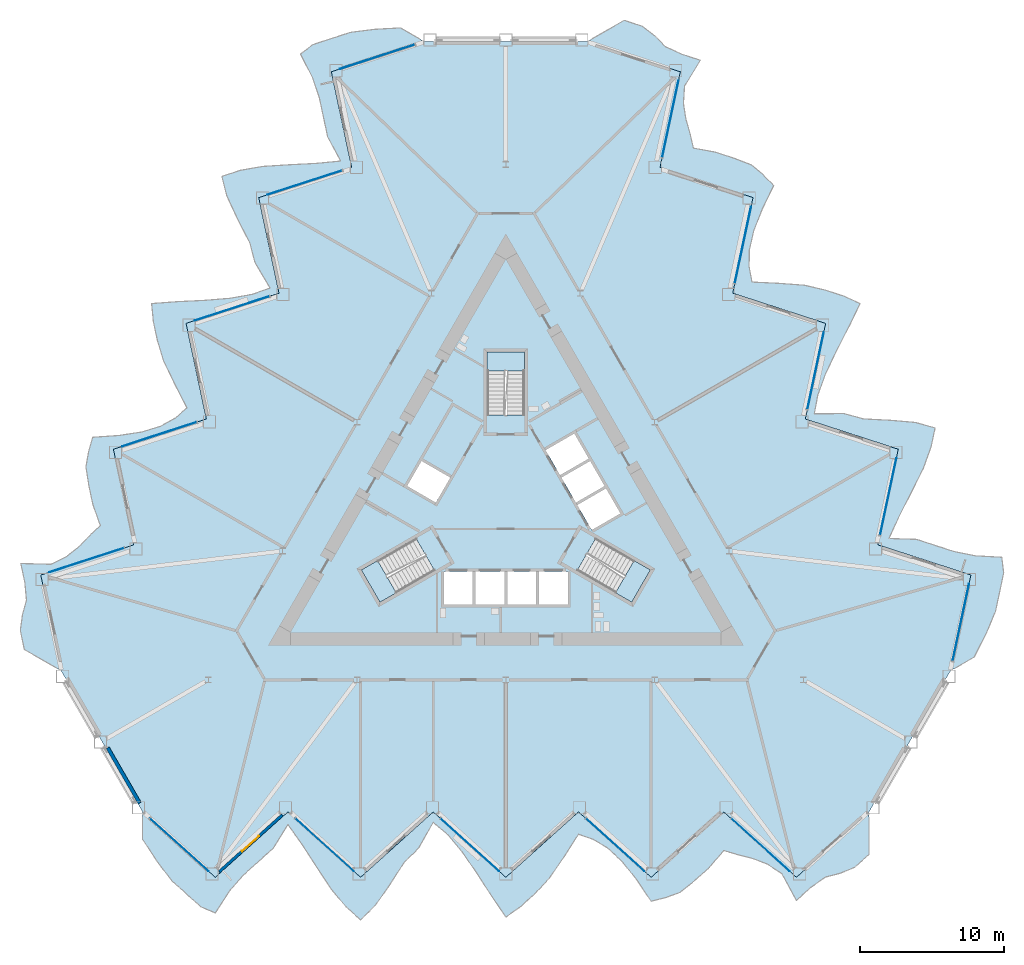
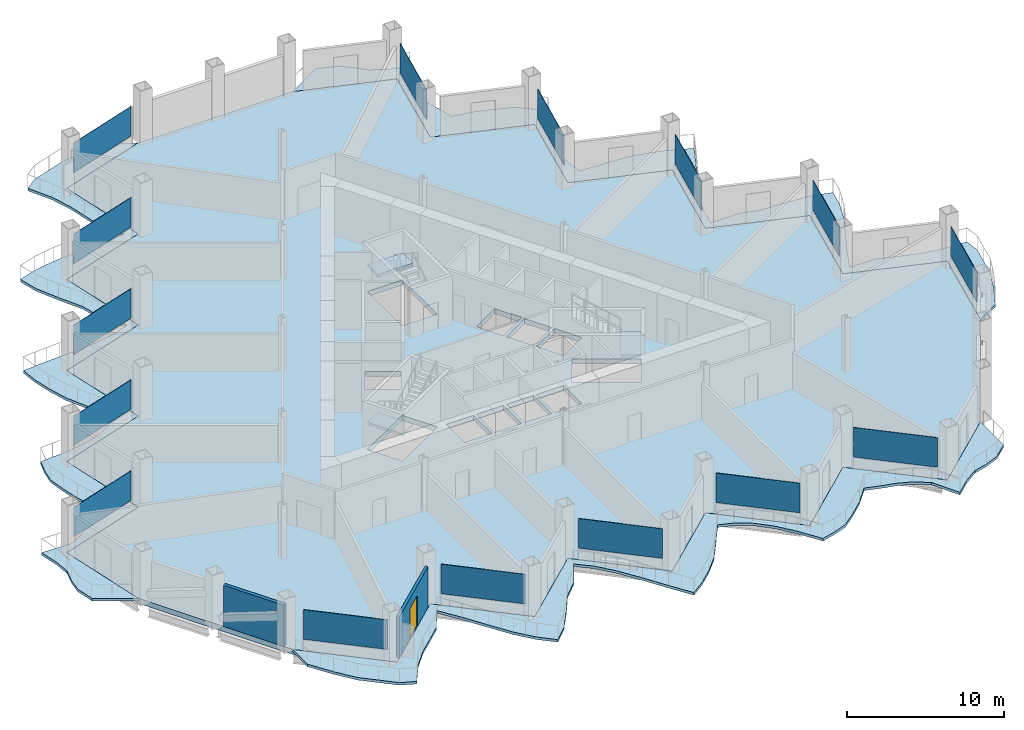
# One storey, part 9 of 21: 15 plates, 7 slabs, 2 walls, 1 door, 1 opening, 18 elements without a shape of their own.
"""IFC4 building model written with IfcOpenShell, lengths in metres."""

from ifc_helpers import new_model, si_unit, direction, frame, frame_2d, origin, origin_2d, place, context, subcontext, project, spatial, polyline, rectangle, outline, extrude, material, layer, layer_set, type_object, element, fill, aggregate, save


model = new_model("IFC4")

# Units and contexts
model_context = context("Model", 3, precision=1e-05, world=origin(), true_north=direction((0.0, 1.0)))
body_context = subcontext(model_context, "Body", "Model", "MODEL_VIEW")
ifc_project = project(units=[si_unit("LENGTHUNIT", "METRE"), si_unit("AREAUNIT", "SQUARE_METRE"), si_unit("VOLUMEUNIT", "CUBIC_METRE"), si_unit("PLANEANGLEUNIT", "RADIAN"), si_unit("MASSUNIT", "GRAM", prefix="KILO")], contexts=[model_context])

# Site, building, storey
site_placement = place(None, origin())
site = spatial("IfcSite", under=ifc_project, at=site_placement, CompositionType="ELEMENT")
building_placement = place(site_placement, origin())
building = spatial("IfcBuilding", under=site, at=building_placement, Name="Cormorant Prow Tower", CompositionType="ELEMENT")
storey_placement = place(building_placement, frame((0.0, 0.0, 129.0)))
storey = spatial("IfcBuildingStorey", under=building, at=storey_placement, Name="L27", CompositionType="ELEMENT", Elevation=129.0)

# Slabs
ifc_material_1 = material(Name="Concrete C40/50", Category="concrete")
ifc_layer_1 = layer(ifc_material_1, 0.199951171875)
ifc_layer_set_1 = layer_set([ifc_layer_1], Name="Concrete C40/50")
slab_type_1 = type_object("IfcSlabType", Name="Balcony slab 200", PredefinedType="FLOOR", material=ifc_layer_set_1)
slab_1_placement = place(storey_placement, frame((0.0, 0.0, -0.199951171875)))
element("IfcSlab", 1, at=slab_1_placement, inside=storey, type_object=slab_type_1, Name="Balcony slab S L27", PredefinedType="FLOOR", context=body_context, shape_type="SweptSolid", body=[
    extrude(outline(polyline([(-25.217041015625, -21.095947265625), (-25.217041015625, -22.995849609375), (-24.208251953125, -24.539306640625), (-23.19970703125, -25.8623046875), (-22.19091796875, -26.7705078125), (-21.18212890625, -27.6787109375), (-20.173583984375, -28.1103515625), (-19.164794921875, -26.558349609375), (-18.15625, -25.420654296875), (-17.1474609375, -24.512451171875), (-16.138916015625, -23.604248046875), (-15.130126953125, -21.97705078125), (-14.12158203125, -23.39453125), (-13.11279296875, -24.953369140625), (-12.104248046875, -26.47314453125), (-11.095458984375, -27.6787109375), (-10.086669921875, -28.5869140625), (-9.078125, -27.605224609375), (-8.0693359375, -26.1650390625), (-7.060791015625, -24.6015625), (-6.052001953125, -23.604248046875), (-5.04345703125, -21.8154296875), (-4.03466796875, -22.678466796875), (-3.026123046875, -23.881591796875), (-2.017333984375, -25.3427734375), (-1.0087890625, -26.908935546875), (0.0, -28.397216796875), (1.0087890625, -27.6787109375), (2.017333984375, -26.7705078125), (3.026123046875, -25.694580078125), (4.03466796875, -24.214111328125), (5.04345703125, -22.6474609375), (6.052001953125, -22.994140625), (7.060791015625, -23.593017578125), (8.0693359375, -24.530517578125), (9.078125, -25.7978515625), (10.086669921875, -27.2958984375), (11.095458984375, -27.04443359375), (12.104248046875, -26.677490234375), (13.11279296875, -25.8623046875), (14.12158203125, -24.9541015625), (15.130126953125, -23.772705078125), (16.138916015625, -24.07568359375), (17.1474609375, -24.330810546875), (18.15625, -24.7197265625), (19.164794921875, -25.38623046875), (20.173583984375, -27.237060546875), (21.18212890625, -26.328857421875), (22.19091796875, -25.619384765625), (23.19970703125, -25.3583984375), (24.208251953125, -24.94580078125), (25.217041015625, -24.0458984375), (25.217041015625, -21.095947265625), (24.208251953125, -22.004150390625), (23.19970703125, -22.912353515625), (22.19091796875, -23.820556640625), (21.18212890625, -24.728759765625), (20.173583984375, -25.636962890625), (19.164794921875, -24.728759765625), (18.15625, -23.820556640625), (17.1474609375, -22.912353515625), (16.138916015625, -22.004150390625), (15.130126953125, -21.095947265625), (14.12158203125, -22.004150390625), (13.11279296875, -22.912353515625), (12.104248046875, -23.820556640625), (11.095458984375, -24.728759765625), (10.086669921875, -25.636962890625), (9.078125, -24.728759765625), (8.0693359375, -23.820556640625), (7.060791015625, -22.912353515625), (6.052001953125, -22.004150390625), (5.04345703125, -21.095947265625), (4.03466796875, -22.004150390625), (3.026123046875, -22.912353515625), (2.017333984375, -23.820556640625), (1.0087890625, -24.728759765625), (0.0, -25.636962890625), (-1.0087890625, -24.728759765625), (-2.017333984375, -23.820556640625), (-3.026123046875, -22.912353515625), (-4.03466796875, -22.004150390625), (-5.04345703125, -21.095947265625), (-6.052001953125, -22.004150390625), (-7.060791015625, -22.912353515625), (-8.0693359375, -23.820556640625), (-9.078125, -24.728759765625), (-10.086669921875, -25.636962890625), (-11.095458984375, -24.728759765625), (-12.104248046875, -23.820556640625), (-13.11279296875, -22.912353515625), (-14.12158203125, -22.004150390625), (-15.130126953125, -21.095947265625), (-16.138916015625, -22.004150390625), (-17.1474609375, -22.912353515625), (-18.15625, -23.820556640625), (-19.164794921875, -24.728759765625), (-20.173583984375, -25.636962890625), (-21.18212890625, -24.728759765625), (-22.19091796875, -23.820556640625), (-23.19970703125, -22.912353515625), (-24.208251953125, -22.004150390625), (-25.217041015625, -21.095947265625)])), origin(), (0.0, 0.0, 1.0), 0.199951171875),
])
slab_2_placement = place(storey_placement, frame((0.0, 0.0, -0.199951171875)))
element("IfcSlab", 2, at=slab_2_placement, inside=storey, type_object=slab_type_1, Name="Balcony slab ENE L27", PredefinedType="FLOOR", context=body_context, shape_type="SweptSolid", body=[
    extrude(outline(polyline([(30.878173828125, -11.29052734375), (32.5234375, -10.340576171875), (33.355712890625, -8.6953125), (33.997314453125, -7.16015625), (34.279541015625, -5.83251953125), (34.561767578125, -4.5048828125), (34.43115234375, -3.41552734375), (32.58251953125, -3.318115234375), (31.093017578125, -3.013427734375), (29.802001953125, -2.593994140625), (28.51123046875, -2.174560546875), (26.59765625, -2.11474609375), (27.32080078125, -0.532470703125), (28.16650390625, 1.12060546875), (28.978515625, 2.754150390625), (29.518310546875, 4.23046875), (29.800537109375, 5.55810546875), (28.446044921875, 5.940673828125), (26.6943359375, 6.09423828125), (24.8359375, 6.18603515625), (23.4677734375, 6.560791015625), (21.41455078125, 6.5400390625), (21.657470703125, 7.84521484375), (22.195068359375, 9.320068359375), (22.956298828125, 10.92431640625), (23.80810546875, 12.580810546875), (24.5927734375, 14.19873046875), (23.46630859375, 14.712890625), (22.17529296875, 15.13232421875), (20.7392578125, 15.468017578125), (18.95263671875, 15.601318359375), (17.091552734375, 15.69140625), (16.887451171875, 16.73828125), (16.90185546875, 17.911376953125), (17.209228515625, 19.253662109375), (17.802734375, 20.7607421875), (18.595703125, 22.38330078125), (17.87353515625, 23.131103515625), (17.051513671875, 23.8212890625), (15.841064453125, 24.287109375), (14.55029296875, 24.70654296875), (13.022705078125, 24.989501953125), (12.780517578125, 26.014404296875), (12.497314453125, 27.015625), (12.329833984375, 28.08349609375), (12.40283203125, 29.29052734375), (13.501220703125, 31.08935546875), (12.210205078125, 31.5087890625), (11.091552734375, 32.027587890625), (10.361083984375, 32.7705078125), (9.49951171875, 33.437744140625), (8.2158203125, 33.861572265625), (5.6611328125, 32.386474609375), (6.951904296875, 31.967041015625), (8.242919921875, 31.547607421875), (9.53369140625, 31.128173828125), (10.82470703125, 30.708740234375), (12.115478515625, 30.289306640625), (11.833251953125, 28.961669921875), (11.551025390625, 27.634033203125), (11.26904296875, 26.306396484375), (10.98681640625, 24.978759765625), (10.70458984375, 23.651123046875), (11.995361328125, 23.231689453125), (13.286376953125, 22.812255859375), (14.5771484375, 22.392822265625), (15.8681640625, 21.973388671875), (17.158935546875, 21.553955078125), (16.876708984375, 20.226318359375), (16.594482421875, 18.898681640625), (16.312255859375, 17.571044921875), (16.030029296875, 16.243408203125), (15.748046875, 14.915771484375), (17.038818359375, 14.496337890625), (18.32958984375, 14.076904296875), (19.62060546875, 13.657470703125), (20.911376953125, 13.238037109375), (22.202392578125, 12.818603515625), (21.920166015625, 11.490966796875), (21.637939453125, 10.163330078125), (21.355712890625, 8.83544921875), (21.073486328125, 7.5078125), (20.791259765625, 6.18017578125), (22.082275390625, 5.7607421875), (23.373046875, 5.34130859375), (24.6640625, 4.921875), (25.954833984375, 4.50244140625), (27.24560546875, 4.0830078125), (26.963623046875, 2.75537109375), (26.681396484375, 1.427734375), (26.399169921875, 0.10009765625), (26.116943359375, -1.2275390625), (25.834716796875, -2.55517578125), (27.12548828125, -2.974609375), (28.41650390625, -3.39404296875), (29.707275390625, -3.8134765625), (30.998291015625, -4.23291015625), (32.2890625, -4.65234375), (32.0068359375, -5.97998046875), (31.724609375, -7.3076171875), (31.4423828125, -8.63525390625), (31.160400390625, -9.962890625), (30.878173828125, -11.29052734375)])), origin(), (0.0, 0.0, 1.0), 0.199951171875),
])
slab_3_placement = place(storey_placement, frame((0.0, 0.0, -0.199951171875)))
element("IfcSlab", 3, at=slab_3_placement, inside=storey, type_object=slab_type_1, Name="Balcony slab WNW L27", PredefinedType="FLOOR", context=body_context, shape_type="SweptSolid", body=[
    extrude(outline(polyline([(-5.6611328125, 32.386474609375), (-7.306640625, 33.33642578125), (-9.1474609375, 33.234619140625), (-10.797607421875, 33.022705078125), (-12.088623046875, 32.603271484375), (-13.37939453125, 32.183837890625), (-14.257568359375, 31.526123046875), (-13.417724609375, 29.87646484375), (-12.936767578125, 28.43408203125), (-12.654541015625, 27.1064453125), (-12.372314453125, 25.77880859375), (-11.467529296875, 24.091552734375), (-13.199462890625, 23.9267578125), (-15.0537109375, 23.832763671875), (-16.874267578125, 23.718994140625), (-18.4228515625, 23.4482421875), (-19.713623046875, 23.02880859375), (-19.367919921875, 21.66455078125), (-18.625, 20.07080078125), (-17.775146484375, 18.41552734375), (-17.415771484375, 17.043212890625), (-16.37109375, 15.275390625), (-17.622802734375, 14.83349609375), (-19.1689453125, 14.561279296875), (-20.938720703125, 14.41845703125), (-22.79931640625, 14.327880859375), (-24.5927734375, 14.19873046875), (-24.474853515625, 12.9658203125), (-24.192626953125, 11.63818359375), (-23.76513671875, 10.226806640625), (-22.9873046875, 8.61279296875), (-22.135009765625, 6.9560546875), (-22.939453125, 6.255859375), (-23.962646484375, 5.681884765625), (-25.27880859375, 5.27685546875), (-26.880859375, 5.037109375), (-28.682373046875, 4.91259765625), (-28.968994140625, 3.913330078125), (-29.155517578125, 2.856201171875), (-28.953857421875, 1.5751953125), (-28.671630859375, 0.24755859375), (-28.15283203125, -1.216796875), (-28.91943359375, -1.93896484375), (-29.644775390625, -2.684814453125), (-30.486083984375, -3.36376953125), (-31.567626953125, -3.904052734375), (-33.6748046875, -3.852294921875), (-33.392578125, -5.179931640625), (-33.282470703125, -6.408203125), (-33.560791015625, -7.412353515625), (-33.707763671875, -8.4921875), (-33.432861328125, -9.8154296875), (-30.878173828125, -11.29052734375), (-31.160400390625, -9.962890625), (-31.4423828125, -8.63525390625), (-31.724609375, -7.3076171875), (-32.0068359375, -5.97998046875), (-32.2890625, -4.65234375), (-30.998291015625, -4.23291015625), (-29.707275390625, -3.8134765625), (-28.41650390625, -3.39404296875), (-27.12548828125, -2.974609375), (-25.834716796875, -2.55517578125), (-26.116943359375, -1.2275390625), (-26.399169921875, 0.10009765625), (-26.681396484375, 1.427734375), (-26.963623046875, 2.75537109375), (-27.24560546875, 4.0830078125), (-25.954833984375, 4.50244140625), (-24.6640625, 4.921875), (-23.373046875, 5.34130859375), (-22.082275390625, 5.7607421875), (-20.791259765625, 6.18017578125), (-21.073486328125, 7.5078125), (-21.355712890625, 8.83544921875), (-21.637939453125, 10.163330078125), (-21.920166015625, 11.490966796875), (-22.202392578125, 12.818603515625), (-20.911376953125, 13.238037109375), (-19.62060546875, 13.657470703125), (-18.32958984375, 14.076904296875), (-17.038818359375, 14.496337890625), (-15.748046875, 14.915771484375), (-16.030029296875, 16.243408203125), (-16.312255859375, 17.571044921875), (-16.594482421875, 18.898681640625), (-16.876708984375, 20.226318359375), (-17.158935546875, 21.553955078125), (-15.8681640625, 21.973388671875), (-14.5771484375, 22.392822265625), (-13.286376953125, 22.812255859375), (-11.995361328125, 23.231689453125), (-10.70458984375, 23.651123046875), (-10.98681640625, 24.978759765625), (-11.26904296875, 26.306396484375), (-11.551025390625, 27.634033203125), (-11.833251953125, 28.961669921875), (-12.115478515625, 30.289306640625), (-10.82470703125, 30.708740234375), (-9.53369140625, 31.128173828125), (-8.242919921875, 31.547607421875), (-6.951904296875, 31.967041015625), (-5.6611328125, 32.386474609375)])), origin(), (0.0, 0.0, 1.0), 0.199951171875),
])

# Curtain wall, plate
ifc_material_2 = material(Name="Aluminium 6063-T6", Category="aluminium")
ifc_layer_2 = layer(ifc_material_2, 0.199951171875)
ifc_layer_set_2 = layer_set([ifc_layer_2], Name="Aluminium 6063-T6")
curtain_wall_type = type_object("IfcCurtainWallType", Name="Office unitised curtain wall 200", PredefinedType="NOTDEFINED", material=ifc_layer_set_2)
curtain_wall_1_placement = place(storey_placement, origin())
curtain_wall_1 = element("IfcCurtainWall", 4, at=curtain_wall_1_placement, inside=storey, type_object=curtain_wall_type, Name="Office curtain wall S00", PredefinedType="NOTDEFINED")
ifc_material_3 = material(Name="Clear glass", Category="glass")
ifc_layer_3 = layer(ifc_material_3, 0.031982421875)
ifc_layer_set_3 = layer_set([ifc_layer_3], Name="Clear glass")
plate_type = type_object("IfcPlateType", Name="Office glass panel 32", PredefinedType="CURTAIN_PANEL", material=ifc_layer_set_3)
plate_1_placement = place(storey_placement, frame((-22.6728515625, -23.386474609375, 0.89990234375), z_axis=(0.0, 0.0, 1.0), x_axis=(0.743144873348, -0.669130553193, 0.0)))
plate_1 = element("IfcPlate", 5, at=plate_1_placement, type_object=plate_type, Name="Office glass panel S00", PredefinedType="CURTAIN_PANEL", context=body_context, shape_type="SweptSolid", body=[
    extrude(rectangle(XDim=5.45458984375, YDim=0.031982421875, at=origin_2d()), origin(), (0.0, 0.0, 1.0), 2.288818359375),
])
aggregate(curtain_wall_1, [plate_1])

curtain_wall_2_placement = place(storey_placement, origin())
curtain_wall_2 = element("IfcCurtainWall", 6, at=curtain_wall_2_placement, inside=storey, type_object=curtain_wall_type, Name="Office curtain wall S02", PredefinedType="NOTDEFINED")
plate_2_placement = place(storey_placement, frame((-12.586181640625, -23.386474609375, 0.89990234375), z_axis=(0.0, 0.0, 1.0), x_axis=(0.743144807376, -0.669130626463, 0.0)))
plate_2 = element("IfcPlate", 7, at=plate_2_placement, type_object=plate_type, Name="Office glass panel S02", PredefinedType="CURTAIN_PANEL", context=body_context, shape_type="SweptSolid", body=[
    extrude(rectangle(XDim=5.45458984375, YDim=0.031982421875, at=origin_2d()), origin(), (0.0, 0.0, 1.0), 2.288818359375),
])
aggregate(curtain_wall_2, [plate_2])

curtain_wall_3_placement = place(storey_placement, origin())
curtain_wall_3 = element("IfcCurtainWall", 8, at=curtain_wall_3_placement, inside=storey, type_object=curtain_wall_type, Name="Office curtain wall S04", PredefinedType="NOTDEFINED")
plate_3_placement = place(storey_placement, frame((-2.49951171875, -23.386474609375, 0.89990234375), z_axis=(0.0, 0.0, 1.0), x_axis=(0.743144807376, -0.669130626463, 0.0)))
plate_3 = element("IfcPlate", 9, at=plate_3_placement, type_object=plate_type, Name="Office glass panel S04", PredefinedType="CURTAIN_PANEL", context=body_context, shape_type="SweptSolid", body=[
    extrude(rectangle(XDim=5.45458984375, YDim=0.031982421875, at=origin_2d()), origin(), (0.0, 0.0, 1.0), 2.288818359375),
])
aggregate(curtain_wall_3, [plate_3])

curtain_wall_4_placement = place(storey_placement, origin())
curtain_wall_4 = element("IfcCurtainWall", 10, at=curtain_wall_4_placement, inside=storey, type_object=curtain_wall_type, Name="Office curtain wall S06", PredefinedType="NOTDEFINED")
plate_4_placement = place(storey_placement, frame((7.58740234375, -23.386474609375, 0.89990234375), z_axis=(0.0, 0.0, 1.0), x_axis=(0.743144807376, -0.669130626463, 0.0)))
plate_4 = element("IfcPlate", 11, at=plate_4_placement, type_object=plate_type, Name="Office glass panel S06", PredefinedType="CURTAIN_PANEL", context=body_context, shape_type="SweptSolid", body=[
    extrude(rectangle(XDim=5.45458984375, YDim=0.031982421875, at=origin_2d()), origin(), (0.0, 0.0, 1.0), 2.288818359375),
])
aggregate(curtain_wall_4, [plate_4])

curtain_wall_5_placement = place(storey_placement, origin())
curtain_wall_5 = element("IfcCurtainWall", 12, at=curtain_wall_5_placement, inside=storey, type_object=curtain_wall_type, Name="Office curtain wall S08", PredefinedType="NOTDEFINED")
plate_5_placement = place(storey_placement, frame((17.674072265625, -23.386474609375, 0.89990234375), z_axis=(0.0, 0.0, 1.0), x_axis=(0.743144807376, -0.669130626463, 0.0)))
plate_5 = element("IfcPlate", 13, at=plate_5_placement, type_object=plate_type, Name="Office glass panel S08", PredefinedType="CURTAIN_PANEL", context=body_context, shape_type="SweptSolid", body=[
    extrude(rectangle(XDim=5.45458984375, YDim=0.031982421875, at=origin_2d()), origin(), (0.0, 0.0, 1.0), 2.288818359375),
])
aggregate(curtain_wall_5, [plate_5])

curtain_wall_6_placement = place(storey_placement, origin())
curtain_wall_6 = element("IfcCurtainWall", 14, at=curtain_wall_6_placement, inside=storey, type_object=curtain_wall_type, Name="Office curtain wall ENE00", PredefinedType="NOTDEFINED")
plate_6_placement = place(storey_placement, frame((31.58984375, -7.942138671875, 0.89990234375), z_axis=(0.0, 0.0, 1.0), x_axis=(0.207911666798, 0.978147605839, 0.0)))
plate_6 = element("IfcPlate", 15, at=plate_6_placement, type_object=plate_type, Name="Office glass panel ENE00", PredefinedType="CURTAIN_PANEL", context=body_context, shape_type="SweptSolid", body=[
    extrude(rectangle(XDim=5.45458984375, YDim=0.031982421875, at=origin_2d()), origin(), (0.0, 0.0, 1.0), 2.288818359375),
])
aggregate(curtain_wall_6, [plate_6])

curtain_wall_7_placement = place(storey_placement, origin())
curtain_wall_7 = element("IfcCurtainWall", 16, at=curtain_wall_7_placement, inside=storey, type_object=curtain_wall_type, Name="Office curtain wall ENE02", PredefinedType="NOTDEFINED")
plate_7_placement = place(storey_placement, frame((26.54638671875, 0.793212890625, 0.89990234375), z_axis=(0.0, 0.0, 1.0), x_axis=(0.207911666798, 0.978147605839, 0.0)))
plate_7 = element("IfcPlate", 17, at=plate_7_placement, type_object=plate_type, Name="Office glass panel ENE02", PredefinedType="CURTAIN_PANEL", context=body_context, shape_type="SweptSolid", body=[
    extrude(rectangle(XDim=5.45458984375, YDim=0.031982421875, at=origin_2d()), origin(), (0.0, 0.0, 1.0), 2.288818359375),
])
aggregate(curtain_wall_7, [plate_7])

curtain_wall_8_placement = place(storey_placement, origin())
curtain_wall_8 = element("IfcCurtainWall", 18, at=curtain_wall_8_placement, inside=storey, type_object=curtain_wall_type, Name="Office curtain wall ENE04", PredefinedType="NOTDEFINED")
plate_8_placement = place(storey_placement, frame((21.503173828125, 9.52880859375, 0.89990234375), z_axis=(0.0, 0.0, 1.0), x_axis=(0.207911666798, 0.978147605839, 0.0)))
plate_8 = element("IfcPlate", 19, at=plate_8_placement, type_object=plate_type, Name="Office glass panel ENE04", PredefinedType="CURTAIN_PANEL", context=body_context, shape_type="SweptSolid", body=[
    extrude(rectangle(XDim=5.45458984375, YDim=0.031982421875, at=origin_2d()), origin(), (0.0, 0.0, 1.0), 2.288818359375),
])
aggregate(curtain_wall_8, [plate_8])

curtain_wall_9_placement = place(storey_placement, origin())
curtain_wall_9 = element("IfcCurtainWall", 20, at=curtain_wall_9_placement, inside=storey, type_object=curtain_wall_type, Name="Office curtain wall ENE06", PredefinedType="NOTDEFINED")
plate_9_placement = place(storey_placement, frame((16.459716796875, 18.26416015625, 0.89990234375), z_axis=(0.0, 0.0, 1.0), x_axis=(0.207911636836, 0.978147612208, 0.0)))
plate_9 = element("IfcPlate", 21, at=plate_9_placement, type_object=plate_type, Name="Office glass panel ENE06", PredefinedType="CURTAIN_PANEL", context=body_context, shape_type="SweptSolid", body=[
    extrude(rectangle(XDim=5.45458984375, YDim=0.031982421875, at=origin_2d()), origin(), (0.0, 0.0, 1.0), 2.288818359375),
])
aggregate(curtain_wall_9, [plate_9])

curtain_wall_10_placement = place(storey_placement, origin())
curtain_wall_10 = element("IfcCurtainWall", 22, at=curtain_wall_10_placement, inside=storey, type_object=curtain_wall_type, Name="Office curtain wall ENE08", PredefinedType="NOTDEFINED")
plate_10_placement = place(storey_placement, frame((11.416259765625, 26.99951171875, 0.89990234375), z_axis=(0.0, 0.0, 1.0), x_axis=(0.207911636836, 0.978147612208, 0.0)))
plate_10 = element("IfcPlate", 23, at=plate_10_placement, type_object=plate_type, Name="Office glass panel ENE08", PredefinedType="CURTAIN_PANEL", context=body_context, shape_type="SweptSolid", body=[
    extrude(rectangle(XDim=5.45458984375, YDim=0.031982421875, at=origin_2d()), origin(), (0.0, 0.0, 1.0), 2.288818359375),
])
aggregate(curtain_wall_10, [plate_10])

curtain_wall_11_placement = place(storey_placement, origin())
curtain_wall_11 = element("IfcCurtainWall", 24, at=curtain_wall_11_placement, inside=storey, type_object=curtain_wall_type, Name="Office curtain wall WNW00", PredefinedType="NOTDEFINED")
plate_11_placement = place(storey_placement, frame((-8.9169921875, 31.32861328125, 0.89990234375), z_axis=(0.0, 0.0, 1.0), x_axis=(-0.951056548245, -0.309016896042, 0.0)))
plate_11 = element("IfcPlate", 25, at=plate_11_placement, type_object=plate_type, Name="Office glass panel WNW00", PredefinedType="CURTAIN_PANEL", context=body_context, shape_type="SweptSolid", body=[
    extrude(rectangle(XDim=5.45458984375, YDim=0.031982421875, at=origin_2d()), origin(), (0.0, 0.0, 1.0), 2.288818359375),
])
aggregate(curtain_wall_11, [plate_11])

curtain_wall_12_placement = place(storey_placement, origin())
curtain_wall_12 = element("IfcCurtainWall", 26, at=curtain_wall_12_placement, inside=storey, type_object=curtain_wall_type, Name="Office curtain wall WNW02", PredefinedType="NOTDEFINED")
plate_12_placement = place(storey_placement, frame((-13.960205078125, 22.59326171875, 0.89990234375), z_axis=(0.0, 0.0, 1.0), x_axis=(-0.95105653418, -0.309016939332, 0.0)))
plate_12 = element("IfcPlate", 27, at=plate_12_placement, type_object=plate_type, Name="Office glass panel WNW02", PredefinedType="CURTAIN_PANEL", context=body_context, shape_type="SweptSolid", body=[
    extrude(rectangle(XDim=5.45458984375, YDim=0.031982421875, at=origin_2d()), origin(), (0.0, 0.0, 1.0), 2.288818359375),
])
aggregate(curtain_wall_12, [plate_12])

curtain_wall_13_placement = place(storey_placement, origin())
curtain_wall_13 = element("IfcCurtainWall", 28, at=curtain_wall_13_placement, inside=storey, type_object=curtain_wall_type, Name="Office curtain wall WNW04", PredefinedType="NOTDEFINED")
plate_13_placement = place(storey_placement, frame((-19.003662109375, 13.85791015625, 0.89990234375), z_axis=(0.0, 0.0, 1.0), x_axis=(-0.95105653418, -0.309016939332, 0.0)))
plate_13 = element("IfcPlate", 29, at=plate_13_placement, type_object=plate_type, Name="Office glass panel WNW04", PredefinedType="CURTAIN_PANEL", context=body_context, shape_type="SweptSolid", body=[
    extrude(rectangle(XDim=5.45458984375, YDim=0.031982421875, at=origin_2d()), origin(), (0.0, 0.0, 1.0), 2.288818359375),
])
aggregate(curtain_wall_13, [plate_13])

curtain_wall_14_placement = place(storey_placement, origin())
curtain_wall_14 = element("IfcCurtainWall", 30, at=curtain_wall_14_placement, inside=storey, type_object=curtain_wall_type, Name="Office curtain wall WNW06", PredefinedType="NOTDEFINED")
plate_14_placement = place(storey_placement, frame((-24.047119140625, 5.122314453125, 0.89990234375), z_axis=(0.0, 0.0, 1.0), x_axis=(-0.951056490871, -0.309017072623, 0.0)))
plate_14 = element("IfcPlate", 31, at=plate_14_placement, type_object=plate_type, Name="Office glass panel WNW06", PredefinedType="CURTAIN_PANEL", context=body_context, shape_type="SweptSolid", body=[
    extrude(rectangle(XDim=5.45458984375, YDim=0.031982421875, at=origin_2d()), origin(), (0.0, 0.0, 1.0), 2.288818359375),
])
aggregate(curtain_wall_14, [plate_14])

curtain_wall_15_placement = place(storey_placement, origin())
curtain_wall_15 = element("IfcCurtainWall", 32, at=curtain_wall_15_placement, inside=storey, type_object=curtain_wall_type, Name="Office curtain wall WNW08", PredefinedType="NOTDEFINED")
plate_15_placement = place(storey_placement, frame((-29.09033203125, -3.613037109375, 0.89990234375), z_axis=(0.0, 0.0, 1.0), x_axis=(-0.951056490871, -0.309017072623, 0.0)))
plate_15 = element("IfcPlate", 33, at=plate_15_placement, type_object=plate_type, Name="Office glass panel WNW08", PredefinedType="CURTAIN_PANEL", context=body_context, shape_type="SweptSolid", body=[
    extrude(rectangle(XDim=5.45458984375, YDim=0.031982421875, at=origin_2d()), origin(), (0.0, 0.0, 1.0), 2.288818359375),
])
aggregate(curtain_wall_15, [plate_15])

# Slab
ifc_material_4 = material(Name="Concrete C40/50", Category="concrete")
ifc_layer_4 = layer(ifc_material_4, 0.39990234375)
ifc_layer_set_4 = layer_set([ifc_layer_4], Name="Concrete C40/50")
slab_type_2 = type_object("IfcSlabType", Name="Post-tensioned flat slab 400", PredefinedType="FLOOR", material=ifc_layer_set_4)
slab_4_placement = place(storey_placement, frame((0.0, 0.0, -0.39990234375)))
element("IfcSlab", 34, at=slab_4_placement, inside=storey, type_object=slab_type_2, Name="Floor slab L27", PredefinedType="FLOOR", context=body_context, shape_type="SweptSolid", body=[
    extrude(outline(polyline([(-12.115478515625, 30.289306640625), (-10.70458984375, 23.651123046875), (-17.158935546875, 21.553955078125), (-15.748046875, 14.915771484375), (-22.202392578125, 12.818603515625), (-20.791259765625, 6.18017578125), (-27.24560546875, 4.0830078125), (-25.834716796875, -2.55517578125), (-32.2890625, -4.65234375), (-30.878173828125, -11.29052734375), (-28.047607421875, -16.193359375), (-25.217041015625, -21.095947265625), (-20.173583984375, -25.636962890625), (-15.130126953125, -21.095947265625), (-10.086669921875, -25.636962890625), (-5.04345703125, -21.095947265625), (0.0, -25.636962890625), (5.04345703125, -21.095947265625), (10.086669921875, -25.636962890625), (15.130126953125, -21.095947265625), (20.173583984375, -25.636962890625), (25.217041015625, -21.095947265625), (28.047607421875, -16.193359375), (30.878173828125, -11.29052734375), (32.2890625, -4.65234375), (25.834716796875, -2.55517578125), (27.24560546875, 4.0830078125), (20.791259765625, 6.18017578125), (22.202392578125, 12.818603515625), (15.748046875, 14.915771484375), (17.158935546875, 21.553955078125), (10.70458984375, 23.651123046875), (12.115478515625, 30.289306640625), (5.6611328125, 32.386474609375), (0.0, 32.386474609375), (-5.6611328125, 32.386474609375), (-12.115478515625, 30.289306640625)]), holes=[polyline([(-4.300048828125, -6.699951171875), (-4.300048828125, -4.39990234375), (-2.300048828125, -4.39990234375), (-2.300048828125, -6.699951171875), (-4.300048828125, -6.699951171875)]), polyline([(-2.10009765625, -4.39990234375), (-0.10009765625, -4.39990234375), (-0.10009765625, -6.699951171875), (-2.10009765625, -6.699951171875), (-2.10009765625, -4.39990234375)]), polyline([(2.10009765625, -4.39990234375), (2.10009765625, -6.699951171875), (0.10009765625, -6.699951171875), (0.10009765625, -4.39990234375), (2.10009765625, -4.39990234375)]), polyline([(4.300048828125, -6.699951171875), (2.300048828125, -6.699951171875), (2.300048828125, -4.39990234375), (4.300048828125, -4.39990234375), (4.300048828125, -6.699951171875)]), polyline([(7.952392578125, -0.373779296875), (5.96044921875, -1.52392578125), (4.96044921875, 0.2080078125), (6.952392578125, 1.358154296875), (7.952392578125, -0.373779296875)]), polyline([(4.860595703125, 0.38134765625), (3.860595703125, 2.11328125), (5.852294921875, 3.263427734375), (6.852294921875, 1.53125), (4.860595703125, 0.38134765625)]), polyline([(2.760498046875, 4.018798828125), (4.75244140625, 5.168701171875), (5.75244140625, 3.4365234375), (3.760498046875, 2.28662109375), (2.760498046875, 4.018798828125)]), polyline([(-6.852294921875, 1.53125), (-5.852294921875, 3.263427734375), (-3.860595703125, 2.11328125), (-4.860595703125, 0.38134765625), (-6.852294921875, 1.53125)]), polyline([(-4.947509765625, -4.3505859375), (-8.738037109375, -6.5390625), (-10.031982421875, -4.2978515625), (-6.241455078125, -2.109375), (-4.947509765625, -4.3505859375)]), polyline([(10.031982421875, -4.2978515625), (8.738037109375, -6.5390625), (4.947509765625, -4.3505859375), (6.241455078125, -2.109375), (10.031982421875, -4.2978515625)]), polyline([(1.2939453125, 10.8369140625), (1.2939453125, 6.459716796875), (-1.2939453125, 6.459716796875), (-1.2939453125, 10.8369140625), (1.2939453125, 10.8369140625)])]), origin(), (0.0, 0.0, 1.0), 0.39990234375),
])

# Stair, slab
ifc_material_5 = material(Name="Exit stair 24 risers")
stair_type = type_object("IfcStairType", Name="Exit stair 24 risers", PredefinedType="HALF_TURN_STAIR", material=ifc_material_5)
stair_1_placement = place(storey_placement, origin())
stair_1 = element("IfcStair", 35, at=stair_1_placement, inside=storey, type_object=stair_type, Name="L27 Exit stair ST1", PredefinedType="HALF_TURN_STAIR")
ifc_material_6 = material(Name="Concrete 5000 psi", Category="concrete")
ifc_layer_5 = layer(ifc_material_6, 0.199951171875)
ifc_layer_set_5 = layer_set([ifc_layer_5], Name="Concrete 5000 psi")
slab_type_3 = type_object("IfcSlabType", Name="Stair landing 200", PredefinedType="LANDING", material=ifc_layer_set_5)
slab_5_placement = place(storey_placement, frame((0.0, 0.0, 1.89990234375)))
slab_5 = element("IfcSlab", 36, at=slab_5_placement, type_object=slab_type_3, Name="ST1 landing 1", PredefinedType="LANDING", context=body_context, shape_type="SweptSolid", body=[
    extrude(outline(polyline([(-8.90185546875, -3.645263671875), (-10.031982421875, -4.2978515625), (-8.738037109375, -6.5390625), (-7.60791015625, -5.886474609375), (-8.90185546875, -3.645263671875)])), origin(), (0.0, 0.0, 1.0), 0.2001953125),
])
aggregate(stair_1, [slab_5])

stair_2_placement = place(storey_placement, origin())
stair_2 = element("IfcStair", 37, at=stair_2_placement, inside=storey, type_object=stair_type, Name="L27 Exit stair ST2", PredefinedType="HALF_TURN_STAIR")
slab_6_placement = place(storey_placement, frame((0.0, 0.0, 1.89990234375)))
slab_6 = element("IfcSlab", 38, at=slab_6_placement, type_object=slab_type_3, Name="ST2 landing 1", PredefinedType="LANDING", context=body_context, shape_type="SweptSolid", body=[
    extrude(outline(polyline([(7.60791015625, -5.886474609375), (8.738037109375, -6.5390625), (10.031982421875, -4.2978515625), (8.90185546875, -3.645263671875), (7.60791015625, -5.886474609375)])), origin(), (0.0, 0.0, 1.0), 0.2001953125),
])
aggregate(stair_2, [slab_6])

stair_3_placement = place(storey_placement, origin())
stair_3 = element("IfcStair", 39, at=stair_3_placement, inside=storey, type_object=stair_type, Name="L27 Exit stair ST3", PredefinedType="HALF_TURN_STAIR")
slab_7_placement = place(storey_placement, frame((0.0, 0.0, 1.89990234375)))
slab_7 = element("IfcSlab", 40, at=slab_7_placement, type_object=slab_type_3, Name="ST3 landing 1", PredefinedType="LANDING", context=body_context, shape_type="SweptSolid", body=[
    extrude(outline(polyline([(1.2939453125, 9.53173828125), (1.2939453125, 10.8369140625), (-1.2939453125, 10.8369140625), (-1.2939453125, 9.53173828125), (1.2939453125, 9.53173828125)])), origin(), (0.0, 0.0, 1.0), 0.2001953125),
])
aggregate(stair_3, [slab_7])

# Wall
ifc_material_7 = material(Name="Terracotta", Category="masonry")
ifc_layer_6 = layer(ifc_material_7, 0.25)
ifc_layer_set_6 = layer_set([ifc_layer_6], Name="Terracotta")
wall_type_1 = type_object("IfcWallType", Name="Terracotta bay wall 250", PredefinedType="SOLIDWALL", material=ifc_layer_set_6)
wall_1_placement = place(storey_placement, frame((-27.64111328125, -16.64697265625, 0.0), z_axis=(0.0, 0.0, 1.0), x_axis=(0.499968989506, -0.866043306961, 0.0)))
element("IfcWall", 41, at=wall_1_placement, inside=storey, type_object=wall_type_1, Name="Terracotta bay wall WSW01", PredefinedType="SOLIDWALL", context=body_context, shape_type="SweptSolid", body=[
    extrude(rectangle(XDim=4.428955078125, YDim=0.25, at=frame_2d((2.21435546875, 0.0))), origin(), (0.0, 0.0, 1.0), 3.18896484375),
])

# Wall, opening, door
ifc_material_8 = material(Name="Terracotta", Category="masonry")
ifc_layer_7 = layer(ifc_material_8, 0.199951171875)
ifc_layer_set_7 = layer_set([ifc_layer_7], Name="Terracotta")
wall_type_2 = type_object("IfcWallType", Name="Terracotta jamb wall 200", PredefinedType="SOLIDWALL", material=ifc_layer_set_7)
wall_2_placement = place(storey_placement, frame((-19.896240234375, -25.252685546875, 0.0), z_axis=(0.0, 0.0, 1.0), x_axis=(0.743157926671, 0.669116055723, 0.0)))
wall_2 = element("IfcWall", 42, at=wall_2_placement, inside=storey, type_object=wall_type_2, Name="Terracotta jamb wall S01", PredefinedType="SOLIDWALL", context=body_context, shape_type="SweptSolid", body=[
    extrude(rectangle(XDim=5.88232421875, YDim=0.199951171875, at=frame_2d((2.941162109375, 0.0))), origin(), (0.0, 0.0, 1.0), 3.18896484375),
])
opening_placement = place(wall_2_placement, frame((2.130126953125, 0.0, 0.0)))
opening = element("IfcOpeningElement", 43, at=opening_placement, cuts=wall_2, Name="Opening ED27.01", PredefinedType="OPENING", context=body_context, shape_type="SweptSolid", body=[
    extrude(rectangle(XDim=1.60009765625, YDim=2.39990234375, at=frame_2d((0.800048828125, 1.199951171875))), frame((0.0, 0.10986328125, 0.0), z_axis=(0.0, -1.0, 0.0), x_axis=(1.0, 0.0, 0.0)), (0.0, 0.0, 1.0), 0.219970703125),
])
ifc_material_9 = material(Name="Aluminium 6063-T6", Category="aluminium")
door_type = type_object("IfcDoorType", Name="Balcony door 1600x2400", OperationType="DOUBLE_DOOR_SINGLE_SWING", PredefinedType="DOOR", material=ifc_material_9)
door_placement = place(opening_placement, origin())
door = element("IfcDoor", 44, at=door_placement, inside=storey, type_object=door_type, Name="Balcony door S01 ED27.01", OperationType="DOUBLE_DOOR_SINGLE_SWING", OverallHeight=2.39990234375, OverallWidth=1.60009765625, PredefinedType="DOOR", context=body_context, shape_type="SweptSolid", body=[
    extrude(rectangle(XDim=1.60009765625, YDim=2.39990234375, at=frame_2d((0.800048828125, 1.199951171875))), frame((0.0, 0.02490234375, 0.0), z_axis=(0.0, -1.0, 0.0), x_axis=(1.0, 0.0, 0.0)), (0.0, 0.0, 1.0), 0.050048828125),
])
fill(opening, door)

save(model, "model.ifc")
